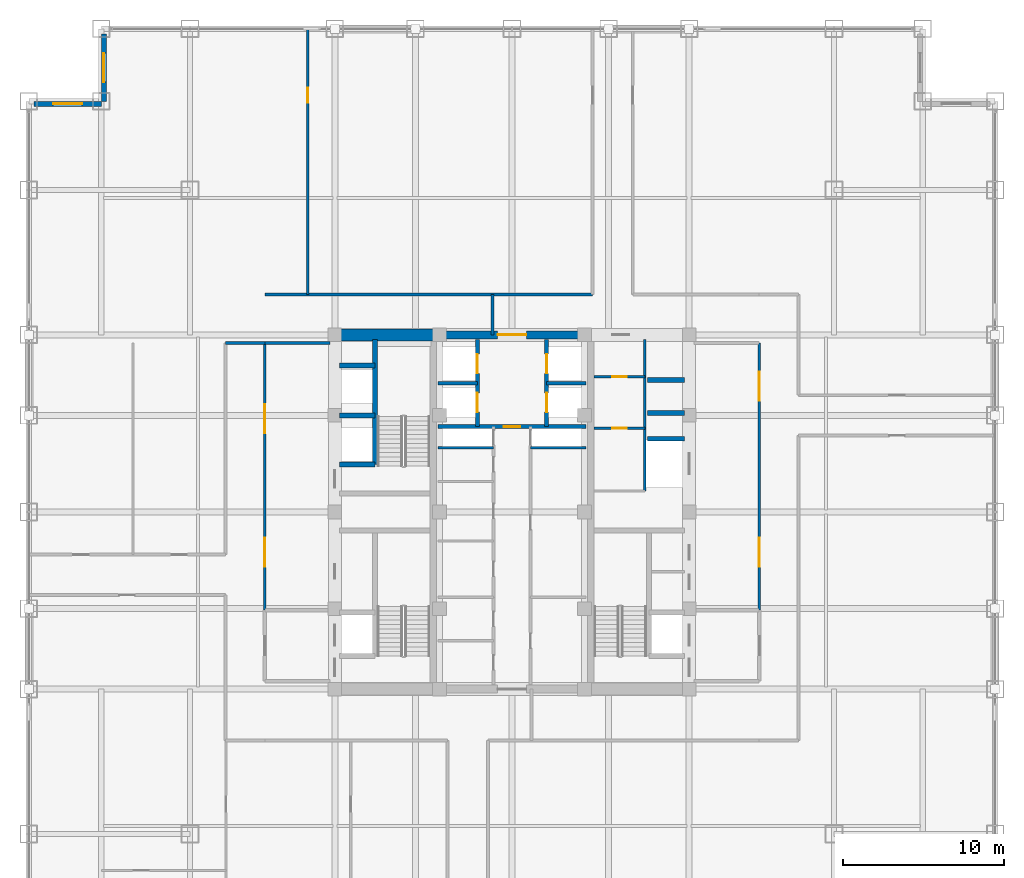
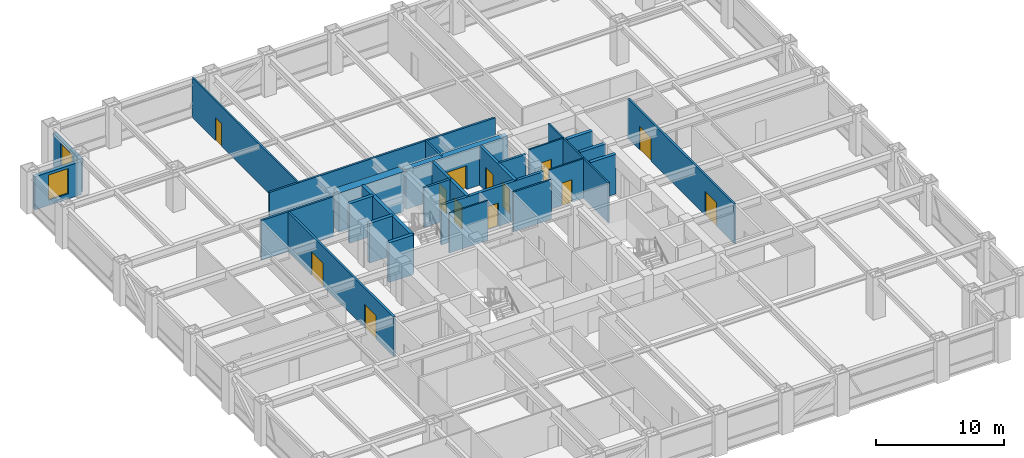
# One storey, part 22 of 24: 28 walls, 13 doors, 2 windows, 15 openings.
"""IFC4 building model written with IfcOpenShell, lengths in metres."""

from ifc_helpers import new_model, si_unit, direction, frame, frame_2d, origin, place, context, subcontext, project, spatial, rectangle, extrude, source, transform, mapped, material, layer, layer_set, type_object, element, fill, save


model = new_model("IFC4")

# Units and contexts
model_context = context("Model", 3, precision=1e-05, world=origin(), true_north=direction((0.0, 1.0)))
body_context = subcontext(model_context, "Body", "Model", "MODEL_VIEW")
ifc_project = project(units=[si_unit("LENGTHUNIT", "METRE"), si_unit("AREAUNIT", "SQUARE_METRE"), si_unit("VOLUMEUNIT", "CUBIC_METRE"), si_unit("PLANEANGLEUNIT", "RADIAN"), si_unit("MASSUNIT", "GRAM", prefix="KILO")], contexts=[model_context])

# Site, building, storey
site_placement = place(None, origin())
site = spatial("IfcSite", under=ifc_project, at=site_placement, CompositionType="ELEMENT")
building_placement = place(site_placement, origin())
building = spatial("IfcBuilding", under=site, at=building_placement, Name="Khorayat Bourse Tower", CompositionType="ELEMENT")
storey_placement = place(building_placement, frame((0.0, 0.0, 171.10009765625)))
storey = spatial("IfcBuildingStorey", under=building, at=storey_placement, Name="L39", CompositionType="ELEMENT", Elevation=171.10009765625)

# Wall
ifc_material_1 = material(Name="Concrete C72/90", Category="concrete")
ifc_layer_1 = layer(ifc_material_1, 0.75)
ifc_layer_set_1 = layer_set([ifc_layer_1], Name="Concrete C72/90")
wall_type_1 = type_object("IfcWallType", Name="WAL-CORE-750", PredefinedType="SHEAR", material=ifc_layer_set_1)
shared_shape_1 = source(origin(), body_context, "Body", "SweptSolid", [
    extrude(rectangle(XDim=5.849853515625, YDim=0.75, at=frame_2d((2.9248046875, 0.0))), origin(), (0.0, 0.0, 1.0), 3.77978515625),
])
wall_1_placement = place(storey_placement, frame((-10.699951171875, 11.0, 0.0), z_axis=(0.0, 0.0, 1.0), x_axis=(1.0, 0.0, 0.0)))
element("IfcWall", 1, at=wall_1_placement, inside=storey, type_object=wall_type_1, Name="L39 Core Shear Wall PIER-WN", PredefinedType="SHEAR", context=body_context, shape_type="MappedRepresentation", body=[
    mapped(shared_shape_1, transform((0.0, 0.0, 0.0), scale=1.0)),
])

# Wall, opening, door
ifc_material_2 = material(Name="Concrete C52/65", Category="concrete")
ifc_layer_2 = layer(ifc_material_2, 0.5)
ifc_layer_set_2 = layer_set([ifc_layer_2], Name="Concrete C52/65")
wall_type_2 = type_object("IfcWallType", Name="WAL-CORE-500", PredefinedType="SHEAR", material=ifc_layer_set_2)
shared_shape_2 = source(origin(), body_context, "Body", "SweptSolid", [
    extrude(rectangle(XDim=9.2001953125, YDim=0.5, at=frame_2d((4.60009765625, 0.0))), origin(), (0.0, 0.0, 1.0), 3.77978515625),
])
wall_2_placement = place(storey_placement, frame((-4.60009765625, 11.0, 0.0), z_axis=(0.0, 0.0, 1.0), x_axis=(1.0, 0.0, 0.0)))
wall_2 = element("IfcWall", 2, at=wall_2_placement, inside=storey, type_object=wall_type_2, Name="L39 Core Shear Wall CORE-N", PredefinedType="SHEAR", context=body_context, shape_type="MappedRepresentation", body=[
    mapped(shared_shape_2, transform((0.0, 0.0, 0.0), scale=1.0)),
])
shared_shape_3 = source(origin(), body_context, "Body", "SweptSolid", [
    extrude(rectangle(XDim=1.800048828125, YDim=2.25, at=frame_2d((0.89990234375, 1.125))), frame((0.0, 0.260009765625, 0.0), z_axis=(0.0, -1.0, 0.0), x_axis=(1.0, 0.0, 0.0)), (0.0, 0.0, 1.0), 0.52001953125),
])
opening_1_placement = place(wall_2_placement, frame((3.699951171875, 0.0, 0.0)))
opening_1 = element("IfcOpeningElement", 3, at=opening_1_placement, cuts=wall_2, Name="Opening DI-03", PredefinedType="OPENING", context=body_context, shape_type="MappedRepresentation", body=[
    mapped(shared_shape_3, transform((0.0, 0.0, 0.0), scale=1.0)),
])
ifc_material_3 = material(Name="Fire-rated hardwood vision-panel double leaf", Category="wood")
door_type_1 = type_object("IfcDoorType", Name="DR-INT-CORR-1800", OperationType="NOTDEFINED", PredefinedType="DOOR", material=ifc_material_3)
shared_shape_4 = source(origin(), body_context, "Body", "SweptSolid", [
    extrude(rectangle(XDim=1.800048828125, YDim=2.25, at=frame_2d((0.89990234375, 1.125))), frame((0.0, 0.02490234375, 0.0), z_axis=(0.0, -1.0, 0.0), x_axis=(1.0, 0.0, 0.0)), (0.0, 0.0, 1.0), 0.050048828125),
])
door_1_placement = place(opening_1_placement, origin())
door_1 = element("IfcDoor", 4, at=door_1_placement, inside=storey, type_object=door_type_1, Name="L39 Mid-Rise Lift Lobby Door", OperationType="SINGLE_SWING_RIGHT", OverallHeight=2.25, OverallWidth=1.800048828125, PredefinedType="DOOR", context=body_context, shape_type="MappedRepresentation", body=[
    mapped(shared_shape_4, transform((0.0, 0.0, 0.0), scale=1.0)),
])
fill(opening_1, door_1)

# Wall, opening, window
ifc_material_4 = material(Name="Precast concrete C45/55", Category="concrete")
ifc_layer_3 = layer(ifc_material_4, 0.320068359375)
ifc_layer_set_3 = layer_set([ifc_layer_3], Name="Precast concrete C45/55")
wall_type_3 = type_object("IfcWallType", Name="WAL-EXT-STONE-320", PredefinedType="STANDARD", material=ifc_layer_set_3)
shared_shape_5 = source(origin(), body_context, "Body", "SweptSolid", [
    extrude(rectangle(XDim=4.179931640625, YDim=0.320068359375, at=frame_2d((2.08984375, 0.0))), origin(), (0.0, 0.0, 1.0), 3.163818359375),
])
wall_3_placement = place(storey_placement, frame((-25.340087890625, 25.5, 0.0), z_axis=(0.0, 0.0, 1.0), x_axis=(0.0, 1.0, 0.0)))
wall_3 = element("IfcWall", 5, at=wall_3_placement, inside=storey, type_object=wall_type_3, Name="L39 Re-Entrant Notch Limestone Wall NW-V", PredefinedType="STANDARD", context=body_context, shape_type="MappedRepresentation", body=[
    mapped(shared_shape_5, transform((0.0, 0.0, 0.0), scale=1.0)),
])
shared_shape_6 = source(origin(), body_context, "Body", "SweptSolid", [
    extrude(rectangle(XDim=1.800048828125, YDim=2.39990234375, at=frame_2d((0.89990234375, 1.199951171875))), frame((0.0, 0.169921875, 0.0), z_axis=(0.0, -1.0, 0.0), x_axis=(1.0, 0.0, 0.0)), (0.0, 0.0, 1.0), 0.340087890625),
])
opening_2_placement = place(wall_3_placement, frame((1.18994140625, 0.0, 0.5)))
opening_2 = element("IfcOpeningElement", 6, at=opening_2_placement, cuts=wall_3, Name="Opening WN-04", PredefinedType="OPENING", context=body_context, shape_type="MappedRepresentation", body=[
    mapped(shared_shape_6, transform((0.0, 0.0, 0.0), scale=1.0)),
])
ifc_material_5 = material(Name="Low-E acoustic laminated double glazing", Category="glass")
window_type = type_object("IfcWindowType", Name="WIN-NOTCH-1800x2400", PartitioningType="SINGLE_PANEL", PredefinedType="WINDOW", material=ifc_material_5)
shared_shape_7 = source(origin(), body_context, "Body", "SweptSolid", [
    extrude(rectangle(XDim=1.800048828125, YDim=2.39990234375, at=frame_2d((0.89990234375, 1.199951171875))), frame((0.0, 0.030029296875, 0.0), z_axis=(0.0, -1.0, 0.0), x_axis=(1.0, 0.0, 0.0)), (0.0, 0.0, 1.0), 0.06005859375),
])
window_1_placement = place(opening_2_placement, origin())
window_1 = element("IfcWindow", 7, at=window_1_placement, inside=storey, type_object=window_type, Name="L39 Facade Window 1", OverallHeight=2.39990234375, OverallWidth=1.800048828125, PartitioningType="SINGLE_PANEL", PredefinedType="WINDOW", context=body_context, shape_type="MappedRepresentation", body=[
    mapped(shared_shape_7, transform((0.0, 0.0, 0.0), scale=1.0)),
])
fill(opening_2, window_1)

wall_4_placement = place(storey_placement, frame((-25.5, 25.340087890625, 0.0), z_axis=(0.0, 0.0, 1.0), x_axis=(-1.0, 0.0, 0.0)))
wall_4 = element("IfcWall", 8, at=wall_4_placement, inside=storey, type_object=wall_type_3, Name="L39 Re-Entrant Notch Limestone Wall NW-H", PredefinedType="STANDARD", context=body_context, shape_type="MappedRepresentation", body=[
    mapped(shared_shape_5, transform((0.0, 0.0, 0.0), scale=1.0)),
])
opening_3_placement = place(wall_4_placement, frame((1.18994140625, 0.0, 0.5)))
opening_3 = element("IfcOpeningElement", 9, at=opening_3_placement, cuts=wall_4, Name="Opening WN-04", PredefinedType="OPENING", context=body_context, shape_type="MappedRepresentation", body=[
    mapped(shared_shape_6, transform((0.0, 0.0, 0.0), scale=1.0)),
])
window_2_placement = place(opening_3_placement, origin())
window_2 = element("IfcWindow", 10, at=window_2_placement, inside=storey, type_object=window_type, Name="L39 Facade Window 1", OverallHeight=2.39990234375, OverallWidth=1.800048828125, PartitioningType="SINGLE_PANEL", PredefinedType="WINDOW", context=body_context, shape_type="MappedRepresentation", body=[
    mapped(shared_shape_7, transform((0.0, 0.0, 0.0), scale=1.0)),
])
fill(opening_3, window_2)

# Walls
ifc_material_6 = material(Name="Concrete C50/60", Category="concrete")
ifc_layer_4 = layer(ifc_material_6, 0.300048828125)
ifc_layer_set_4 = layer_set([ifc_layer_4], Name="Concrete C50/60")
wall_type_4 = type_object("IfcWallType", Name="WAL-SHAFT-300", PredefinedType="SHEAR", material=ifc_layer_set_4)
shared_shape_8 = source(origin(), body_context, "Body", "SweptSolid", [
    extrude(rectangle(XDim=2.199951171875, YDim=0.300048828125, at=frame_2d((1.10009765625, 0.0))), origin(), (0.0, 0.0, 1.0), 3.77978515625),
])
for number, where, z_axis, x_axis, name in (
    (11, (-10.699951171875, 2.949951171875, 0.0), (0.0, 0.0, 1.0), (1.0, 0.0, 0.0), "L39 Partition WAL-L39-WPIER-H1S"),
    (12, (-10.699951171875, 6.0, 0.0), (0.0, 0.0, 1.0), (1.0, 0.0, 0.0), "L39 Partition WAL-L39-WPIER-H12"),
    (13, (-10.699951171875, 9.10009765625, 0.0), (0.0, 0.0, 1.0), (1.0, 0.0, 0.0), "L39 Partition WAL-L39-WPIER-H2N"),
):
    element("IfcWall", number, at=place(storey_placement, frame(where, z_axis=z_axis, x_axis=x_axis)), inside=storey, type_object=wall_type_4, Name=name, PredefinedType="SHEAR", context=body_context, shape_type="MappedRepresentation", body=[
        mapped(shared_shape_8, transform((0.0, 0.0, 0.0), scale=1.0)),
    ])
shared_shape_9 = source(origin(), body_context, "Body", "SweptSolid", [
    extrude(rectangle(XDim=7.75, YDim=0.300048828125, at=frame_2d((3.875, 0.0))), origin(), (0.0, 0.0, 1.0), 3.77978515625),
])
wall_5_placement = place(storey_placement, frame((-8.5, 2.949951171875, 0.0), z_axis=(0.0, 0.0, 1.0), x_axis=(0.0, 1.0, 0.0)))
element("IfcWall", 14, at=wall_5_placement, inside=storey, type_object=wall_type_4, Name="L39 Partition WAL-L39-WPIER-ST2S", PredefinedType="SHEAR", context=body_context, shape_type="MappedRepresentation", body=[
    mapped(shared_shape_9, transform((0.0, 0.0, 0.0), scale=1.0)),
])
shared_shape_10 = source(origin(), body_context, "Body", "SweptSolid", [
    extrude(rectangle(XDim=2.300048828125, YDim=0.300048828125, at=frame_2d((1.14990234375, 0.0))), origin(), (0.0, 0.0, 1.0), 3.77978515625),
])
for number, where, z_axis, x_axis, name in (
    (15, (8.39990234375, 4.550048828125, 0.0), (0.0, 0.0, 1.0), (1.0, 0.0, 0.0), "L39 Partition WAL-L39-EPIER-SVLN"),
    (16, (8.39990234375, 6.14990234375, 0.0), (0.0, 0.0, 1.0), (1.0, 0.0, 0.0), "L39 Partition WAL-L39-EPIER-H3S"),
    (17, (8.39990234375, 8.199951171875, 0.0), (0.0, 0.0, 1.0), (1.0, 0.0, 0.0), "L39 Partition WAL-L39-EPIER-H34"),
):
    element("IfcWall", number, at=place(storey_placement, frame(where, z_axis=z_axis, x_axis=x_axis)), inside=storey, type_object=wall_type_4, Name=name, PredefinedType="SHEAR", context=body_context, shape_type="MappedRepresentation", body=[
        mapped(shared_shape_10, transform((0.0, 0.0, 0.0), scale=1.0)),
    ])
ifc_material_7 = material(Name="Moisture-resistant masonry partition", Category="masonry")
ifc_layer_5 = layer(ifc_material_7, 0.139892578125)
ifc_layer_set_5 = layer_set([ifc_layer_5], Name="Moisture-resistant masonry partition")
wall_type_5 = type_object("IfcWallType", Name="WAL-PART-WET-140", PredefinedType="PARTITIONING", material=ifc_layer_set_5)
shared_shape_11 = source(origin(), body_context, "Body", "SweptSolid", [
    extrude(rectangle(XDim=9.39990234375, YDim=0.139892578125, at=frame_2d((4.699951171875, 0.0))), origin(), (0.0, 0.0, 1.0), 3.77978515625),
])
wall_6_placement = place(storey_placement, frame((8.25, 1.300048828125, 0.0), z_axis=(0.0, 0.0, 1.0), x_axis=(0.0, 1.0, 0.0)))
element("IfcWall", 18, at=wall_6_placement, inside=storey, type_object=wall_type_5, Name="L39 Partition WAL-L39-ECORE-E", PredefinedType="PARTITIONING", context=body_context, shape_type="MappedRepresentation", body=[
    mapped(shared_shape_11, transform((0.0, 0.0, 0.0), scale=1.0)),
])

# Wall, opening, door
shared_shape_12 = source(origin(), body_context, "Body", "SweptSolid", [
    extrude(rectangle(XDim=3.14990234375, YDim=0.139892578125, at=frame_2d((1.574951171875, 0.0))), origin(), (0.0, 0.0, 1.0), 3.77978515625),
])
wall_7_placement = place(storey_placement, frame((5.10009765625, 8.39990234375, 0.0), z_axis=(0.0, 0.0, 1.0), x_axis=(1.0, 0.0, 0.0)))
wall_7 = element("IfcWall", 19, at=wall_7_placement, inside=storey, type_object=wall_type_5, Name="L39 Partition WAL-L39-ECW-TOP", PredefinedType="PARTITIONING", context=body_context, shape_type="MappedRepresentation", body=[
    mapped(shared_shape_12, transform((0.0, 0.0, 0.0), scale=1.0)),
])
shared_shape_13 = source(origin(), body_context, "Body", "SweptSolid", [
    extrude(rectangle(XDim=0.89990234375, YDim=2.14990234375, at=frame_2d((0.449951171875, 1.074951171875))), frame((0.0, 0.079833984375, 0.0), z_axis=(0.0, -1.0, 0.0), x_axis=(1.0, 0.0, 0.0)), (0.0, 0.0, 1.0), 0.159912109375),
])
opening_4_placement = place(wall_7_placement, frame((1.1298828125, 0.0, 0.0)))
opening_4 = element("IfcOpeningElement", 20, at=opening_4_placement, cuts=wall_7, Name="Opening DI-06", PredefinedType="OPENING", context=body_context, shape_type="MappedRepresentation", body=[
    mapped(shared_shape_13, transform((0.0, 0.0, 0.0), scale=1.0)),
])
ifc_material_8 = material(Name="Moisture-resistant laminate washroom door")
door_type_2 = type_object("IfcDoorType", Name="DR-INT-WC-900", OperationType="NOTDEFINED", PredefinedType="DOOR", material=ifc_material_8)
shared_shape_14 = source(origin(), body_context, "Body", "SweptSolid", [
    extrude(rectangle(XDim=0.89990234375, YDim=2.14990234375, at=frame_2d((0.449951171875, 1.074951171875))), frame((0.0, 0.02490234375, 0.0), z_axis=(0.0, -1.0, 0.0), x_axis=(1.0, 0.0, 0.0)), (0.0, 0.0, 1.0), 0.050048828125),
])
door_2_placement = place(opening_4_placement, origin())
door_2 = element("IfcDoor", 21, at=door_2_placement, inside=storey, type_object=door_type_2, Name="L39 Accessible WC Door", OperationType="SINGLE_SWING_LEFT", OverallHeight=2.14990234375, OverallWidth=0.89990234375, PredefinedType="DOOR", context=body_context, shape_type="MappedRepresentation", body=[
    mapped(shared_shape_14, transform((0.0, 0.0, 0.0), scale=1.0)),
])
fill(opening_4, door_2)

wall_8_placement = place(storey_placement, frame((5.10009765625, 5.199951171875, 0.0), z_axis=(0.0, 0.0, 1.0), x_axis=(1.0, 0.0, 0.0)))
wall_8 = element("IfcWall", 22, at=wall_8_placement, inside=storey, type_object=wall_type_5, Name="L39 Partition WAL-L39-ECW-HZ", PredefinedType="PARTITIONING", context=body_context, shape_type="MappedRepresentation", body=[
    mapped(shared_shape_12, transform((0.0, 0.0, 0.0), scale=1.0)),
])
opening_5_placement = place(wall_8_placement, frame((1.1298828125, 0.0, 0.0)))
opening_5 = element("IfcOpeningElement", 23, at=opening_5_placement, cuts=wall_8, Name="Opening DI-06", PredefinedType="OPENING", context=body_context, shape_type="MappedRepresentation", body=[
    mapped(shared_shape_13, transform((0.0, 0.0, 0.0), scale=1.0)),
])
door_3_placement = place(opening_5_placement, origin())
door_3 = element("IfcDoor", 24, at=door_3_placement, inside=storey, type_object=door_type_2, Name="L39 Shared Washroom Door", OperationType="SINGLE_SWING_RIGHT", OverallHeight=2.14990234375, OverallWidth=0.89990234375, PredefinedType="DOOR", context=body_context, shape_type="MappedRepresentation", body=[
    mapped(shared_shape_14, transform((0.0, 0.0, 0.0), scale=1.0)),
])
fill(opening_5, door_3)

# Wall
ifc_material_9 = material(Name="Gypsum plasterboard acoustic stud wall")
ifc_layer_6 = layer(ifc_material_9, 0.179931640625)
ifc_layer_set_6 = layer_set([ifc_layer_6], Name="Gypsum plasterboard acoustic stud wall")
wall_type_6 = type_object("IfcWallType", Name="WAL-PART-CORR-180", PredefinedType="PARTITIONING", material=ifc_layer_set_6)
shared_shape_15 = source(origin(), body_context, "Body", "SweptSolid", [
    extrude(rectangle(XDim=4.050048828125, YDim=0.179931640625, at=frame_2d((2.02490234375, 0.0))), origin(), (0.0, 0.0, 1.0), 3.77978515625),
])
wall_9_placement = place(storey_placement, frame((-15.35009765625, 10.5, 0.0), z_axis=(0.0, 0.0, 1.0), x_axis=(1.0, 0.0, 0.0)))
element("IfcWall", 25, at=wall_9_placement, inside=storey, type_object=wall_type_6, Name="L39 Partition WAL-L39-WLOB-N", PredefinedType="PARTITIONING", context=body_context, shape_type="MappedRepresentation", body=[
    mapped(shared_shape_15, transform((0.0, 0.0, 0.0), scale=1.0)),
])

# Wall, openings, doors
shared_shape_16 = source(origin(), body_context, "Body", "SweptSolid", [
    extrude(rectangle(XDim=16.60009765625, YDim=0.179931640625, at=frame_2d((8.300048828125, 0.0))), origin(), (0.0, 0.0, 1.0), 3.77978515625),
])
wall_10_placement = place(storey_placement, frame((-15.35009765625, -6.10009765625, 0.0), z_axis=(0.0, 0.0, 1.0), x_axis=(0.0, 1.0, 0.0)))
wall_10 = element("IfcWall", 26, at=wall_10_placement, inside=storey, type_object=wall_type_6, Name="L39 Partition WAL-L39-WLOB-W", PredefinedType="PARTITIONING", context=body_context, shape_type="MappedRepresentation", body=[
    mapped(shared_shape_16, transform((0.0, 0.0, 0.0), scale=1.0)),
])
shared_shape_17 = source(origin(), body_context, "Body", "SweptSolid", [
    extrude(rectangle(XDim=1.800048828125, YDim=2.25, at=frame_2d((0.89990234375, 1.125))), frame((0.0, 0.099853515625, 0.0), z_axis=(0.0, -1.0, 0.0), x_axis=(1.0, 0.0, 0.0)), (0.0, 0.0, 1.0), 0.199951171875),
])
opening_6_placement = place(wall_10_placement, frame((2.699951171875, 0.0, 0.0)))
opening_6 = element("IfcOpeningElement", 27, at=opening_6_placement, cuts=wall_10, Name="Opening DI-03", PredefinedType="OPENING", context=body_context, shape_type="MappedRepresentation", body=[
    mapped(shared_shape_17, transform((0.0, 0.0, 0.0), scale=1.0)),
])
opening_7_placement = place(wall_10_placement, frame((11.0, 0.0, 0.0)))
opening_7 = element("IfcOpeningElement", 28, at=opening_7_placement, cuts=wall_10, Name="Opening DI-03", PredefinedType="OPENING", context=body_context, shape_type="MappedRepresentation", body=[
    mapped(shared_shape_17, transform((0.0, 0.0, 0.0), scale=1.0)),
])
door_4_placement = place(opening_6_placement, origin())
door_4 = element("IfcDoor", 29, at=door_4_placement, inside=storey, type_object=door_type_1, Name="L39 West Core Lobby South Door", OperationType="SINGLE_SWING_LEFT", OverallHeight=2.25, OverallWidth=1.800048828125, PredefinedType="DOOR", context=body_context, shape_type="MappedRepresentation", body=[
    mapped(shared_shape_4, transform((0.0, 0.0, 0.0), scale=1.0)),
])
fill(opening_6, door_4)
door_5_placement = place(opening_7_placement, origin())
door_5 = element("IfcDoor", 30, at=door_5_placement, inside=storey, type_object=door_type_1, Name="L39 West Core Lobby North Door", OperationType="SINGLE_SWING_RIGHT", OverallHeight=2.25, OverallWidth=1.800048828125, PredefinedType="DOOR", context=body_context, shape_type="MappedRepresentation", body=[
    mapped(shared_shape_4, transform((0.0, 0.0, 0.0), scale=1.0)),
])
fill(opening_7, door_5)

wall_11_placement = place(storey_placement, frame((15.35009765625, -6.10009765625, 0.0), z_axis=(0.0, 0.0, 1.0), x_axis=(0.0, 1.0, 0.0)))
wall_11 = element("IfcWall", 31, at=wall_11_placement, inside=storey, type_object=wall_type_6, Name="L39 Partition WAL-L39-ELOB-E", PredefinedType="PARTITIONING", context=body_context, shape_type="MappedRepresentation", body=[
    mapped(shared_shape_16, transform((0.0, 0.0, 0.0), scale=1.0)),
])
opening_8_placement = place(wall_11_placement, frame((2.699951171875, 0.0, 0.0)))
opening_8 = element("IfcOpeningElement", 32, at=opening_8_placement, cuts=wall_11, Name="Opening DI-03", PredefinedType="OPENING", context=body_context, shape_type="MappedRepresentation", body=[
    mapped(shared_shape_17, transform((0.0, 0.0, 0.0), scale=1.0)),
])
opening_9_placement = place(wall_11_placement, frame((13.0, 0.0, 0.0)))
opening_9 = element("IfcOpeningElement", 33, at=opening_9_placement, cuts=wall_11, Name="Opening DI-03", PredefinedType="OPENING", context=body_context, shape_type="MappedRepresentation", body=[
    mapped(shared_shape_17, transform((0.0, 0.0, 0.0), scale=1.0)),
])
door_6_placement = place(opening_8_placement, origin())
door_6 = element("IfcDoor", 34, at=door_6_placement, inside=storey, type_object=door_type_1, Name="L39 East Core Lobby South Door", OperationType="SINGLE_SWING_RIGHT", OverallHeight=2.25, OverallWidth=1.800048828125, PredefinedType="DOOR", context=body_context, shape_type="MappedRepresentation", body=[
    mapped(shared_shape_4, transform((0.0, 0.0, 0.0), scale=1.0)),
])
fill(opening_8, door_6)
door_7_placement = place(opening_9_placement, origin())
door_7 = element("IfcDoor", 35, at=door_7_placement, inside=storey, type_object=door_type_1, Name="L39 East Core Lobby North Door", OperationType="SINGLE_SWING_LEFT", OverallHeight=2.25, OverallWidth=1.800048828125, PredefinedType="DOOR", context=body_context, shape_type="MappedRepresentation", body=[
    mapped(shared_shape_4, transform((0.0, 0.0, 0.0), scale=1.0)),
])
fill(opening_9, door_7)

# Walls
ifc_material_10 = material(Name="Gypsum plasterboard twin-frame partition")
ifc_layer_7 = layer(ifc_material_10, 0.14990234375)
ifc_layer_set_7 = layer_set([ifc_layer_7], Name="Gypsum plasterboard twin-frame partition")
wall_type_7 = type_object("IfcWallType", Name="WAL-PART-SUITE-150", PredefinedType="PARTITIONING", material=ifc_layer_set_7)
shared_shape_18 = source(origin(), body_context, "Body", "SweptSolid", [
    extrude(rectangle(XDim=3.4501953125, YDim=0.14990234375, at=frame_2d((1.72509765625, 0.0))), origin(), (0.0, 0.0, 1.0), 3.77978515625),
])
for number, where, z_axis, x_axis, name in (
    (36, (-4.60009765625, 4.0, 0.0), (0.0, 0.0, 1.0), (1.0, 0.0, 0.0), "L39 Partition WAL-L39-CRSW-S"),
    (37, (1.14990234375, 4.0, 0.0), (0.0, 0.0, 1.0), (1.0, 0.0, 0.0), "L39 Partition WAL-L39-CRSE-S"),
):
    element("IfcWall", number, at=place(storey_placement, frame(where, z_axis=z_axis, x_axis=x_axis)), inside=storey, type_object=wall_type_7, Name=name, PredefinedType="PARTITIONING", context=body_context, shape_type="MappedRepresentation", body=[
        mapped(shared_shape_18, transform((0.0, 0.0, 0.0), scale=1.0)),
    ])

# Wall, openings, doors
shared_shape_19 = source(origin(), body_context, "Body", "SweptSolid", [
    extrude(rectangle(XDim=5.39990234375, YDim=0.25, at=frame_2d((2.699951171875, 0.0))), origin(), (0.0, 0.0, 1.0), 3.77978515625),
])
wall_12_placement = place(storey_placement, frame((-2.14990234375, 5.300048828125, 0.0), z_axis=(0.0, 0.0, 1.0), x_axis=(0.0, 1.0, 0.0)))
wall_12 = element("IfcWall", 38, at=wall_12_placement, inside=storey, type_object=wall_type_4, Name="L39 Partition WAL-L39-B2-W", PredefinedType="SHEAR", context=body_context, shape_type="MappedRepresentation", body=[
    mapped(shared_shape_19, transform((0.0, 0.0, 0.0), scale=1.0)),
])
shared_shape_20 = source(origin(), body_context, "Body", "SweptSolid", [
    extrude(rectangle(XDim=1.199951171875, YDim=2.300048828125, at=frame_2d((0.60009765625, 1.14990234375))), frame((0.0, 0.135009765625, 0.0), z_axis=(0.0, -1.0, 0.0), x_axis=(1.0, 0.0, 0.0)), (0.0, 0.0, 1.0), 0.27001953125),
])
opening_10_placement = place(wall_12_placement, frame((3.300048828125, 0.0, 0.0)))
opening_10 = element("IfcOpeningElement", 39, at=opening_10_placement, cuts=wall_12, Name="Opening LD-01", PredefinedType="OPENING", context=body_context, shape_type="MappedRepresentation", body=[
    mapped(shared_shape_20, transform((0.0, 0.0, 0.0), scale=1.0)),
])
opening_11_placement = place(wall_12_placement, frame((0.89990234375, 0.0, 0.0)))
opening_11 = element("IfcOpeningElement", 40, at=opening_11_placement, cuts=wall_12, Name="Opening LD-01", PredefinedType="OPENING", context=body_context, shape_type="MappedRepresentation", body=[
    mapped(shared_shape_20, transform((0.0, 0.0, 0.0), scale=1.0)),
])
ifc_material_11 = material(Name="Brushed bronze stainless-steel sliding door", Category="steel")
door_type_3 = type_object("IfcDoorType", Name="DR-LIFT-PASS-1200", OperationType="NOTDEFINED", PredefinedType="DOOR", material=ifc_material_11)
shared_shape_21 = source(origin(), body_context, "Body", "SweptSolid", [
    extrude(rectangle(XDim=1.199951171875, YDim=2.300048828125, at=frame_2d((0.60009765625, 1.14990234375))), frame((0.0, 0.02490234375, 0.0), z_axis=(0.0, -1.0, 0.0), x_axis=(1.0, 0.0, 0.0)), (0.0, 0.0, 1.0), 0.050048828125),
])
door_8_placement = place(opening_10_placement, origin())
door_8 = element("IfcDoor", 41, at=door_8_placement, inside=storey, type_object=door_type_3, Name="L39 Lift PL-M1 Sliding Landing Door", OperationType="SLIDING_TO_LEFT", OverallHeight=2.300048828125, OverallWidth=1.199951171875, PredefinedType="DOOR", context=body_context, shape_type="MappedRepresentation", body=[
    mapped(shared_shape_21, transform((0.0, 0.0, 0.0), scale=1.0)),
])
fill(opening_10, door_8)
door_9_placement = place(opening_11_placement, origin())
door_9 = element("IfcDoor", 42, at=door_9_placement, inside=storey, type_object=door_type_3, Name="L39 Lift PL-M3 Sliding Landing Door", OperationType="SLIDING_TO_LEFT", OverallHeight=2.300048828125, OverallWidth=1.199951171875, PredefinedType="DOOR", context=body_context, shape_type="MappedRepresentation", body=[
    mapped(shared_shape_21, transform((0.0, 0.0, 0.0), scale=1.0)),
])
fill(opening_11, door_9)

wall_13_placement = place(storey_placement, frame((2.14990234375, 5.300048828125, 0.0), z_axis=(0.0, 0.0, 1.0), x_axis=(0.0, 1.0, 0.0)))
wall_13 = element("IfcWall", 43, at=wall_13_placement, inside=storey, type_object=wall_type_4, Name="L39 Partition WAL-L39-B2-E", PredefinedType="SHEAR", context=body_context, shape_type="MappedRepresentation", body=[
    mapped(shared_shape_19, transform((0.0, 0.0, 0.0), scale=1.0)),
])
opening_12_placement = place(wall_13_placement, frame((3.300048828125, 0.0, 0.0)))
opening_12 = element("IfcOpeningElement", 44, at=opening_12_placement, cuts=wall_13, Name="Opening LD-01", PredefinedType="OPENING", context=body_context, shape_type="MappedRepresentation", body=[
    mapped(shared_shape_20, transform((0.0, 0.0, 0.0), scale=1.0)),
])
opening_13_placement = place(wall_13_placement, frame((0.89990234375, 0.0, 0.0)))
opening_13 = element("IfcOpeningElement", 45, at=opening_13_placement, cuts=wall_13, Name="Opening LD-01", PredefinedType="OPENING", context=body_context, shape_type="MappedRepresentation", body=[
    mapped(shared_shape_20, transform((0.0, 0.0, 0.0), scale=1.0)),
])
door_10_placement = place(opening_12_placement, origin())
door_10 = element("IfcDoor", 46, at=door_10_placement, inside=storey, type_object=door_type_3, Name="L39 Lift PL-M2 Sliding Landing Door", OperationType="SLIDING_TO_LEFT", OverallHeight=2.300048828125, OverallWidth=1.199951171875, PredefinedType="DOOR", context=body_context, shape_type="MappedRepresentation", body=[
    mapped(shared_shape_21, transform((0.0, 0.0, 0.0), scale=1.0)),
])
fill(opening_12, door_10)
door_11_placement = place(opening_13_placement, origin())
door_11 = element("IfcDoor", 47, at=door_11_placement, inside=storey, type_object=door_type_3, Name="L39 Lift PL-M4 Sliding Landing Door", OperationType="SLIDING_TO_LEFT", OverallHeight=2.300048828125, OverallWidth=1.199951171875, PredefinedType="DOOR", context=body_context, shape_type="MappedRepresentation", body=[
    mapped(shared_shape_21, transform((0.0, 0.0, 0.0), scale=1.0)),
])
fill(opening_13, door_11)

# Walls
shared_shape_22 = source(origin(), body_context, "Body", "SweptSolid", [
    extrude(rectangle(XDim=2.4501953125, YDim=0.199951171875, at=frame_2d((1.22509765625, 0.0))), origin(), (0.0, 0.0, 1.0), 3.77978515625),
])
for number, where, z_axis, x_axis, name in (
    (48, (-4.60009765625, 8.0, 0.0), (0.0, 0.0, 1.0), (1.0, 0.0, 0.0), "L39 Partition WAL-L39-B2-MW"),
    (49, (2.14990234375, 8.0, 0.0), (0.0, 0.0, 1.0), (1.0, 0.0, 0.0), "L39 Partition WAL-L39-B2-ME"),
):
    element("IfcWall", number, at=place(storey_placement, frame(where, z_axis=z_axis, x_axis=x_axis)), inside=storey, type_object=wall_type_4, Name=name, PredefinedType="SHEAR", context=body_context, shape_type="MappedRepresentation", body=[
        mapped(shared_shape_22, transform((0.0, 0.0, 0.0), scale=1.0)),
    ])

# Wall, opening, door
shared_shape_23 = source(origin(), body_context, "Body", "SweptSolid", [
    extrude(rectangle(XDim=9.2001953125, YDim=0.25, at=frame_2d((4.60009765625, 0.0))), origin(), (0.0, 0.0, 1.0), 3.77978515625),
])
wall_14_placement = place(storey_placement, frame((-4.60009765625, 5.300048828125, 0.0), z_axis=(0.0, 0.0, 1.0), x_axis=(1.0, 0.0, 0.0)))
wall_14 = element("IfcWall", 50, at=wall_14_placement, inside=storey, type_object=wall_type_4, Name="L39 Partition WAL-L39-B2-S", PredefinedType="SHEAR", context=body_context, shape_type="MappedRepresentation", body=[
    mapped(shared_shape_23, transform((0.0, 0.0, 0.0), scale=1.0)),
])
shared_shape_24 = source(origin(), body_context, "Body", "SweptSolid", [
    extrude(rectangle(XDim=1.050048828125, YDim=2.199951171875, at=frame_2d((0.52490234375, 1.10009765625))), frame((0.0, 0.135009765625, 0.0), z_axis=(0.0, -1.0, 0.0), x_axis=(1.0, 0.0, 0.0)), (0.0, 0.0, 1.0), 0.27001953125),
])
opening_14_placement = place(wall_14_placement, frame((4.074951171875, 0.0, 0.0)))
opening_14 = element("IfcOpeningElement", 51, at=opening_14_placement, cuts=wall_14, Name="Opening DI-04", PredefinedType="OPENING", context=body_context, shape_type="MappedRepresentation", body=[
    mapped(shared_shape_24, transform((0.0, 0.0, 0.0), scale=1.0)),
])
ifc_material_12 = material(Name="Fire-rated oak veneer suite entrance door")
door_type_4 = type_object("IfcDoorType", Name="DR-INT-SUITE-1050", OperationType="NOTDEFINED", PredefinedType="DOOR", material=ifc_material_12)
shared_shape_25 = source(origin(), body_context, "Body", "SweptSolid", [
    extrude(rectangle(XDim=1.050048828125, YDim=2.199951171875, at=frame_2d((0.52490234375, 1.10009765625))), frame((0.0, 0.02490234375, 0.0), z_axis=(0.0, -1.0, 0.0), x_axis=(1.0, 0.0, 0.0)), (0.0, 0.0, 1.0), 0.050048828125),
])
door_12_placement = place(opening_14_placement, origin())
door_12 = element("IfcDoor", 52, at=door_12_placement, inside=storey, type_object=door_type_4, Name="L39 Core Spine North Door", OperationType="SINGLE_SWING_RIGHT", OverallHeight=2.199951171875, OverallWidth=1.050048828125, PredefinedType="DOOR", context=body_context, shape_type="MappedRepresentation", body=[
    mapped(shared_shape_25, transform((0.0, 0.0, 0.0), scale=1.0)),
])
fill(opening_14, door_12)

# Walls
shared_shape_26 = source(origin(), body_context, "Body", "SweptSolid", [
    extrude(rectangle(XDim=2.449951171875, YDim=0.179931640625, at=frame_2d((1.22509765625, 0.0))), origin(), (0.0, 0.0, 1.0), 3.77978515625),
])
wall_15_placement = place(storey_placement, frame((-17.800048828125, 10.5, 0.0), z_axis=(0.0, 0.0, 1.0), x_axis=(1.0, 0.0, 0.0)))
element("IfcWall", 53, at=wall_15_placement, inside=storey, type_object=wall_type_6, Name="L39 Partition WAL-L39-C2-WN", PredefinedType="PARTITIONING", context=body_context, shape_type="MappedRepresentation", body=[
    mapped(shared_shape_26, transform((0.0, 0.0, 0.0), scale=1.0)),
])
shared_shape_27 = source(origin(), body_context, "Body", "SweptSolid", [
    extrude(rectangle(XDim=2.5, YDim=0.179931640625, at=frame_2d((1.25, 0.0))), origin(), (0.0, 0.0, 1.0), 3.77978515625),
])
wall_16_placement = place(storey_placement, frame((-1.199951171875, 11.0, 0.0), z_axis=(0.0, 0.0, 1.0), x_axis=(0.0, 1.0, 0.0)))
element("IfcWall", 54, at=wall_16_placement, inside=storey, type_object=wall_type_6, Name="L39 Partition WAL-L39-C2-NCW", PredefinedType="PARTITIONING", context=body_context, shape_type="MappedRepresentation", body=[
    mapped(shared_shape_27, transform((0.0, 0.0, 0.0), scale=1.0)),
])

# Wall, opening, door
shared_shape_28 = source(origin(), body_context, "Body", "SweptSolid", [
    extrude(rectangle(XDim=16.5, YDim=0.14990234375, at=frame_2d((8.25, 0.0))), origin(), (0.0, 0.0, 1.0), 3.77978515625),
])
wall_17_placement = place(storey_placement, frame((-12.68994140625, 13.5, 0.0), z_axis=(0.0, 0.0, 1.0), x_axis=(0.0, 1.0, 0.0)))
wall_17 = element("IfcWall", 55, at=wall_17_placement, inside=storey, type_object=wall_type_7, Name="L39 Partition WAL-L39-QNWDV-1", PredefinedType="PARTITIONING", context=body_context, shape_type="MappedRepresentation", body=[
    mapped(shared_shape_28, transform((0.0, 0.0, 0.0), scale=1.0)),
])
shared_shape_29 = source(origin(), body_context, "Body", "SweptSolid", [
    extrude(rectangle(XDim=0.949951171875, YDim=2.14990234375, at=frame_2d((0.47509765625, 1.074951171875))), frame((0.0, 0.0849609375, 0.0), z_axis=(0.0, -1.0, 0.0), x_axis=(1.0, 0.0, 0.0)), (0.0, 0.0, 1.0), 0.169921875),
])
opening_15_placement = place(wall_17_placement, frame((11.89990234375, 0.0, 0.0)))
opening_15 = element("IfcOpeningElement", 56, at=opening_15_placement, cuts=wall_17, Name="Opening DI-05", PredefinedType="OPENING", context=body_context, shape_type="MappedRepresentation", body=[
    mapped(shared_shape_29, transform((0.0, 0.0, 0.0), scale=1.0)),
])
ifc_material_13 = material(Name="Acoustic oak veneer office door")
door_type_5 = type_object("IfcDoorType", Name="DR-INT-OFFICE-950", OperationType="NOTDEFINED", PredefinedType="DOOR", material=ifc_material_13)
shared_shape_30 = source(origin(), body_context, "Body", "SweptSolid", [
    extrude(rectangle(XDim=0.949951171875, YDim=2.14990234375, at=frame_2d((0.47509765625, 1.074951171875))), frame((0.0, 0.02490234375, 0.0), z_axis=(0.0, -1.0, 0.0), x_axis=(1.0, 0.0, 0.0)), (0.0, 0.0, 1.0), 0.050048828125),
])
door_13_placement = place(opening_15_placement, origin())
door_13 = element("IfcDoor", 57, at=door_13_placement, inside=storey, type_object=door_type_5, Name="L39 North-West Suite Link 1", OperationType="SINGLE_SWING_RIGHT", OverallHeight=2.14990234375, OverallWidth=0.949951171875, PredefinedType="DOOR", context=body_context, shape_type="MappedRepresentation", body=[
    mapped(shared_shape_30, transform((0.0, 0.0, 0.0), scale=1.0)),
])
fill(opening_15, door_13)

# Wall
shared_shape_31 = source(origin(), body_context, "Body", "SweptSolid", [
    extrude(rectangle(XDim=20.35009765625, YDim=0.179931640625, at=frame_2d((10.175048828125, 0.0))), origin(), (0.0, 0.0, 1.0), 3.77978515625),
])
wall_18_placement = place(storey_placement, frame((-15.35009765625, 13.5, 0.0), z_axis=(0.0, 0.0, 1.0), x_axis=(1.0, 0.0, 0.0)))
element("IfcWall", 58, at=wall_18_placement, inside=storey, type_object=wall_type_6, Name="L39 Partition WAL-L39-QNW-HC", PredefinedType="PARTITIONING", context=body_context, shape_type="MappedRepresentation", body=[
    mapped(shared_shape_31, transform((0.0, 0.0, 0.0), scale=1.0)),
])

save(model, "model.ifc")
